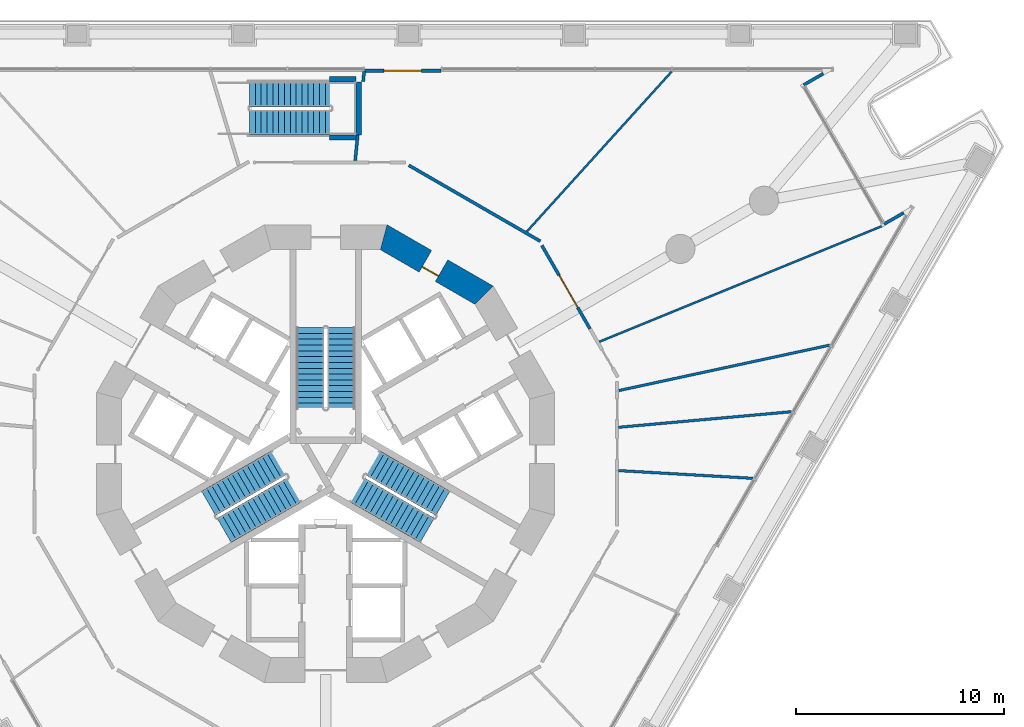
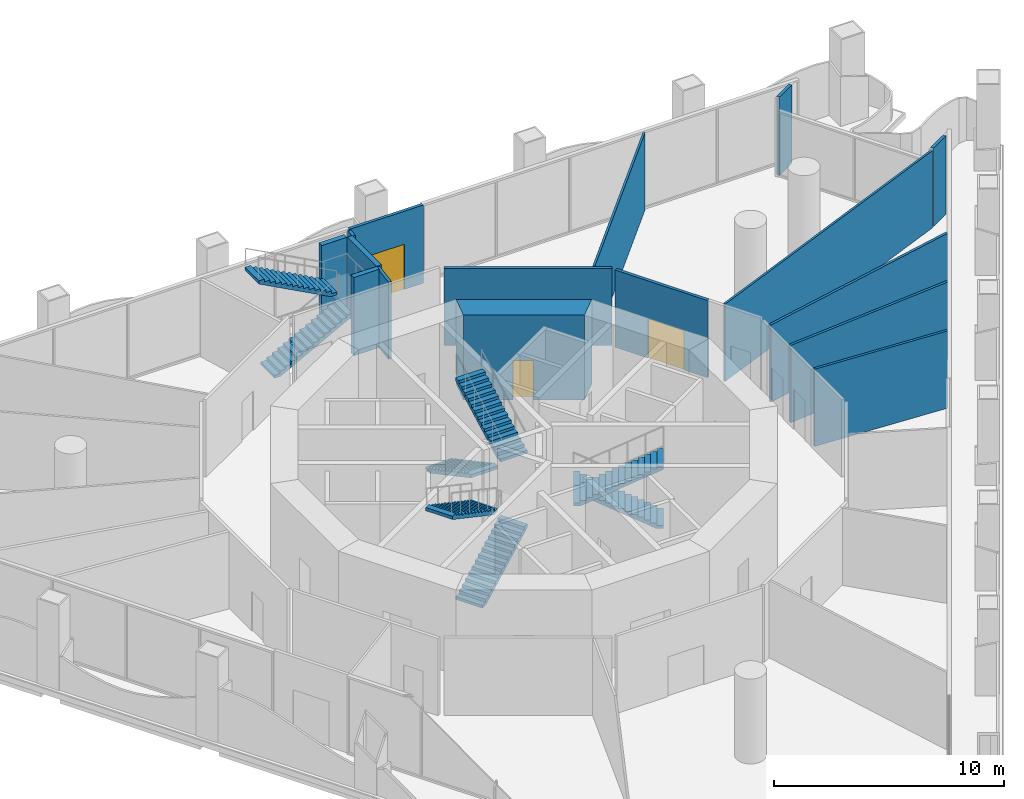
# One storey, part 13 of 21: 16 walls, 8 stair flights, 3 doors, 3 openings, 4 elements without a shape of their own.
"""IFC4 building model written with IfcOpenShell, lengths in metres."""

import ifcopenshell
import ifcopenshell.guid

model = None  # the IFC model being written
_history = None  # IfcOwnerHistory: only IFC2X3 demands one
_inside = {}  # id of a spatial element -> (the spatial element, [elements in it])
_under = {}  # id of a project, library or spatial element -> (it, [spatial elements below it])
_declared = {}  # id of a project -> (the project, [libraries it declares])
_typed = {}  # id of a type object -> (the type object, [elements of that type])
_made_of = {}  # id of a material, layer set ... -> (it, [elements and type objects made of it])


def new_model(schema):
    """Start an empty IFC model of exactly this schema.

    Asked for "IFC4X3", IfcOpenShell would pick the latest addendum, in which some entities
    have other attributes; the version numbers below select the first issue.
    IFC2X3 requires an IfcOwnerHistory on every rooted entity: one is made here for all.
    """
    global model, _history
    if schema == "IFC4X3":
        model = ifcopenshell.file(schema_version=(4, 3, 0, 0))
    else:
        model = ifcopenshell.file(schema=schema)
    _inside.clear()
    _under.clear()
    _declared.clear()
    _typed.clear()
    _made_of.clear()
    _history = None
    if model.schema == "IFC2X3":
        org = make("IfcOrganization", Name="unknown")
        user = make(
            "IfcPersonAndOrganization",
            ThePerson=make("IfcPerson", FamilyName="unknown"),
            TheOrganization=org,
        )
        app = make(
            "IfcApplication",
            ApplicationDeveloper=org,
            Version="unknown",
            ApplicationFullName="unknown",
            ApplicationIdentifier="unknown",
        )
        _history = make(
            "IfcOwnerHistory",
            OwningUser=user,
            OwningApplication=app,
            ChangeAction="ADDED",
            CreationDate=0,
        )
    return model


def make(cls, **values):
    """One entity of the class cls with the attributes given. An attribute that is None is left unset."""
    return model.create_entity(
        cls, **{name: value for name, value in values.items() if value is not None}
    )


def rooted(cls, **values):
    """An entity with a GlobalId (a new one), such as an element, a storey or a relation."""
    return make(cls, GlobalId=ifcopenshell.guid.new(), OwnerHistory=_history, **values)


def si_unit(unit_type, name, prefix=None):
    """IfcSIUnit, for example si_unit("LENGTHUNIT", "METRE", prefix="MILLI")."""
    return make("IfcSIUnit", UnitType=unit_type, Prefix=prefix, Name=name)


def assignment(units):
    """IfcUnitAssignment: the units of a project."""
    return None if units is None else make("IfcUnitAssignment", Units=units)


def point(xyz):
    """IfcCartesianPoint."""
    return None if xyz is None else make("IfcCartesianPoint", Coordinates=xyz)


def direction(xyz):
    """IfcDirection."""
    return None if xyz is None else make("IfcDirection", DirectionRatios=xyz)


def frame(location, z_axis=None, x_axis=None):
    """IfcAxis2Placement3D, a coordinate frame: its origin and axes. An axis left out is left unset."""
    return make(
        "IfcAxis2Placement3D",
        Location=point(location),
        Axis=direction(z_axis),
        RefDirection=direction(x_axis),
    )


def frame_2d(location, x_axis=None):
    """IfcAxis2Placement2D, a coordinate frame in the plane: its origin and x axis."""
    return make(
        "IfcAxis2Placement2D", Location=point(location), RefDirection=direction(x_axis)
    )


def origin():
    """The frame at (0, 0, 0) with its axes left unset."""
    return frame((0.0, 0.0, 0.0))


def place(relative_to, where):
    """IfcLocalPlacement: puts the frame where relative to a parent placement (None: the world)."""
    return make(
        "IfcLocalPlacement", PlacementRelTo=relative_to, RelativePlacement=where
    )


def context(
    kind, dimensions, precision=None, world=None, true_north=None, identifier=None
):
    """IfcGeometricRepresentationContext, for example the 3D "Model" context."""
    return make(
        "IfcGeometricRepresentationContext",
        ContextIdentifier=identifier,
        ContextType=kind,
        CoordinateSpaceDimension=dimensions,
        Precision=precision,
        WorldCoordinateSystem=world,
        TrueNorth=true_north,
    )


def subcontext(parent, identifier, kind, view, scale=None):
    """IfcGeometricRepresentationSubContext, for example "Body" below "Model"."""
    return make(
        "IfcGeometricRepresentationSubContext",
        ContextIdentifier=identifier,
        ContextType=kind,
        ParentContext=parent,
        TargetScale=scale,
        TargetView=view,
    )


def project(units=None, contexts=None):
    """IfcProject with its units and contexts."""
    return rooted(
        "IfcProject",
        Name="project",
        RepresentationContexts=contexts,
        UnitsInContext=assignment(units),
    )


def spatial(cls, under=None, at=None, **own):
    """A site, building, storey or space (cls), placed at a placement, below another one or the project."""
    s = rooted(cls, ObjectPlacement=at, **own)
    if under is not None:
        _under.setdefault(under.id(), (under, []))[1].append(s)
    return s


def polyline(points):
    """IfcPolyline through the points."""
    return make("IfcPolyline", Points=[point(p) for p in points])


def profile(cls, at=None, kind="AREA", **sizes):
    """A parametric profile (cls). Its sizes go by their IFC names, for example OverallWidth=200.0."""
    return make(cls, ProfileType=kind, Position=at, **sizes)


def rectangle(**sizes):
    """IfcRectangleProfileDef."""
    return profile("IfcRectangleProfileDef", **sizes)


def outline(outer, holes=None, kind="AREA"):
    """IfcArbitraryClosedProfileDef: a profile drawn as a closed curve; with holes, ...WithVoids."""
    if holes is None:
        return make("IfcArbitraryClosedProfileDef", ProfileType=kind, OuterCurve=outer)
    return make(
        "IfcArbitraryProfileDefWithVoids",
        ProfileType=kind,
        OuterCurve=outer,
        InnerCurves=holes,
    )


def extrude(swept, where, along, depth):
    """IfcExtrudedAreaSolid: the profile swept, set in the frame where, extruded along a direction by depth."""
    return make(
        "IfcExtrudedAreaSolid",
        SweptArea=swept,
        Position=where,
        ExtrudedDirection=direction(along),
        Depth=depth,
    )


def shape(context_of_items, identifier, shape_type, items):
    """IfcShapeRepresentation: the items that make up one representation, for example the "Body"."""
    return make(
        "IfcShapeRepresentation",
        ContextOfItems=context_of_items,
        RepresentationIdentifier=identifier,
        RepresentationType=shape_type,
        Items=items,
    )


def material(Name=None, Category=None):
    """IfcMaterial."""
    return make("IfcMaterial", Name=Name, Category=Category)


def layer(
    of_material, thickness, ventilated=None, Name=None, Category=None, Priority=None
):
    """IfcMaterialLayer: one layer of a wall or slab, of a material (None: an air gap)."""
    return make(
        "IfcMaterialLayer",
        Material=of_material,
        LayerThickness=thickness,
        IsVentilated=ventilated,
        Name=Name,
        Category=Category,
        Priority=Priority,
    )


def layer_set(layers, Name=None):
    """IfcMaterialLayerSet."""
    return make("IfcMaterialLayerSet", MaterialLayers=layers, LayerSetName=Name)


def made_of(thing, what):
    """Note that an element or type object is made of a material, layer set ...; save() writes the relation."""
    if what is not None:
        _made_of.setdefault(what.id(), (what, []))[1].append(thing)
    return thing


def type_object(cls, material=None, **own):
    """A type object (cls), such as IfcWallType, which elements share."""
    return made_of(rooted(cls, **own), material)


def element(
    cls,
    number,
    at=None,
    inside=None,
    cuts=None,
    type_object=None,
    material=None,
    context=None,
    identifier="Body",
    shape_type=None,
    held_by="IfcProductDefinitionShape",
    body=None,
    shapes=None,
    **own,
):
    """One element of the class cls, such as IfcWall. Its Tag is "e" and its number.

    at: its placement. inside: the storey or other place that contains it. cuts: it is an
    opening in that element (IfcRelVoidsElement). A single representation is given by context,
    identifier, shape_type and body (its items); several are given by shapes. held_by: the class
    of the entity that holds the representations. save() writes the other relations.
    """
    e = rooted(cls, Tag="e%d" % number, ObjectPlacement=at, **own)
    if body is not None:
        shapes = [shape(context, identifier, shape_type, body)]
    if shapes is not None:
        e.Representation = make(held_by, Representations=shapes)
    if inside is not None:
        _inside.setdefault(inside.id(), (inside, []))[1].append(e)
    if cuts is not None:
        rooted(
            "IfcRelVoidsElement", RelatingBuildingElement=cuts, RelatedOpeningElement=e
        )
    if type_object is not None:
        _typed.setdefault(type_object.id(), (type_object, []))[1].append(e)
    return made_of(e, material)


def fill(opening, filler):
    """IfcRelFillsElement: the door or window that sits in an opening."""
    return rooted(
        "IfcRelFillsElement",
        RelatingOpeningElement=opening,
        RelatedBuildingElement=filler,
    )


def aggregate(whole, parts):
    """IfcRelAggregates: a whole, such as a stair, and the parts it consists of."""
    return rooted("IfcRelAggregates", RelatingObject=whole, RelatedObjects=parts)


def save(model, path):
    """Write the relations noted so far, then the file.

    IfcRelAggregates (storeys below a building ...), IfcRelContainedInSpatialStructure (elements
    in a storey), IfcRelDefinesByType, IfcRelAssociatesMaterial and IfcRelDeclares: one each for
    every whole, place, type object, material and project.
    """
    for whole, parts in _under.values():
        aggregate(whole, parts)
    for where, things in _inside.values():
        rooted(
            "IfcRelContainedInSpatialStructure",
            RelatedElements=things,
            RelatingStructure=where,
        )
    for kind, things in _typed.values():
        rooted("IfcRelDefinesByType", RelatedObjects=things, RelatingType=kind)
    for what, things in _made_of.values():
        rooted("IfcRelAssociatesMaterial", RelatedObjects=things, RelatingMaterial=what)
    for by, libraries in _declared.values():
        rooted("IfcRelDeclares", RelatingContext=by, RelatedDefinitions=libraries)
    model.write(path)


model = new_model("IFC4")

# Units and contexts
model_context = context("Model", 3, precision=1e-05, world=origin(), true_north=direction((0.0, 1.0)))
body_context = subcontext(model_context, "Body", "Model", "MODEL_VIEW")
ifc_project = project(units=[si_unit("LENGTHUNIT", "METRE"), si_unit("AREAUNIT", "SQUARE_METRE"), si_unit("VOLUMEUNIT", "CUBIC_METRE"), si_unit("PLANEANGLEUNIT", "RADIAN"), si_unit("MASSUNIT", "GRAM", prefix="KILO")], contexts=[model_context])

# Site, building, storey
site_placement = place(None, origin())
site = spatial("IfcSite", under=ifc_project, at=site_placement, CompositionType="ELEMENT")
building_placement = place(site_placement, origin())
building = spatial("IfcBuilding", under=site, at=building_placement, Name="Trine Commons Tower", CompositionType="ELEMENT")
storey_placement = place(building_placement, frame((0.0, 0.0, 13.5)))
storey = spatial("IfcBuildingStorey", under=building, at=storey_placement, Name="L02", CompositionType="ELEMENT", Elevation=13.5)

# Walls
ifc_material_1 = material(Name="Plasterboard on steel stud", Category="steel")
ifc_layer_1 = layer(ifc_material_1, 0.14990234375)
ifc_layer_set_1 = layer_set([ifc_layer_1], Name="Plasterboard on steel stud")
wall_type_1 = type_object("IfcWallType", Name="Compartment wall 150 mm, EI 60", PredefinedType="PARTITIONING", material=ifc_layer_set_1)
wall_1_placement = place(storey_placement, frame((81.417724609375, 76.593994140625, 0.0), z_axis=(0.0, 0.0, 1.0), x_axis=(0.100050781899, 0.994982332025, 0.0)))
element("IfcWall", 1, at=wall_1_placement, inside=storey, type_object=wall_type_1, Name="Partition P2017", PredefinedType="PARTITIONING", context=body_context, shape_type="SweptSolid", body=[
    extrude(rectangle(XDim=1.237060546875, YDim=0.14990234375, at=frame_2d((0.61865234375, 0.0))), origin(), (0.0, 0.0, 1.0), 4.10009765625),
])
wall_2_placement = place(storey_placement, frame((81.800048828125, 80.39501953125, 0.0), z_axis=(0.0, 0.0, 1.0), x_axis=(0.099749392044, 0.995012592276, 0.0)))
element("IfcWall", 2, at=wall_2_placement, inside=storey, type_object=wall_type_1, Name="Partition P2018", PredefinedType="PARTITIONING", context=body_context, shape_type="SweptSolid", body=[
    extrude(rectangle(XDim=0.491943359375, YDim=0.14990234375, at=frame_2d((0.24609375, 0.0))), origin(), (0.0, 0.0, 1.0), 4.10009765625),
])
wall_3_placement = place(storey_placement, frame((83.996826171875, 76.37158203125, 0.0), z_axis=(0.0, 0.0, 1.0), x_axis=(0.866025270247, -0.500000231294, 0.0)))
element("IfcWall", 3, at=wall_3_placement, inside=storey, type_object=wall_type_1, Name="Partition P2020", PredefinedType="PARTITIONING", context=body_context, shape_type="SweptSolid", body=[
    extrude(rectangle(XDim=7.3037109375, YDim=0.14990234375, at=frame_2d((3.65185546875, 0.0))), origin(), (0.0, 0.0, 1.0), 4.10009765625),
])

# Wall, opening, door
wall_4_placement = place(storey_placement, frame((92.7109375, 68.50732421875, 0.0), z_axis=(0.0, 0.0, 1.0), x_axis=(-0.500014747178, 0.86601688933, 0.0)))
wall_4 = element("IfcWall", 4, at=wall_4_placement, inside=storey, type_object=wall_type_1, Name="Partition P2026", PredefinedType="PARTITIONING", context=body_context, shape_type="SweptSolid", body=[
    extrude(rectangle(XDim=4.627197265625, YDim=0.14990234375, at=frame_2d((2.3134765625, 0.0))), origin(), (0.0, 0.0, 1.0), 4.10009765625),
])
opening_1_placement = place(wall_4_placement, frame((1.177001953125, 0.0, 0.0)))
opening_1 = element("IfcOpeningElement", 5, at=opening_1_placement, cuts=wall_4, Name="Opening D-P214", PredefinedType="OPENING", context=body_context, shape_type="SweptSolid", body=[
    extrude(rectangle(XDim=1.800048828125, YDim=2.10009765625, at=frame_2d((0.89990234375, 1.050048828125))), frame((0.0, 0.0849609375, 0.0), z_axis=(0.0, -1.0, 0.0), x_axis=(1.0, 0.0, 0.0)), (0.0, 0.0, 1.0), 0.169921875),
])
ifc_material_2 = material(Name="Timber fire door set", Category="wood")
door_type_1 = type_object("IfcDoorType", Name="Double swing door 1800x2100, FD30S", OperationType="DOUBLE_DOOR_DOUBLE_SWING", PredefinedType="DOOR", material=ifc_material_2)
door_1_placement = place(opening_1_placement, origin())
door_1 = element("IfcDoor", 6, at=door_1_placement, inside=storey, type_object=door_type_1, Name="Door D-P214", OperationType="DOUBLE_DOOR_DOUBLE_SWING", OverallHeight=2.10009765625, OverallWidth=1.800048828125, PredefinedType="DOOR", context=body_context, shape_type="SweptSolid", body=[
    extrude(rectangle(XDim=1.800048828125, YDim=2.10009765625, at=frame_2d((0.89990234375, 1.050048828125))), frame((0.0, 0.02490234375, 0.0), z_axis=(0.0, -1.0, 0.0), x_axis=(1.0, 0.0, 0.0)), (0.0, 0.0, 1.0), 0.050048828125),
])
fill(opening_1, door_1)

ifc_material_3 = material(Name="Aluminium-framed insulated wall panel", Category="aluminium")
ifc_layer_2 = layer(ifc_material_3, 0.14990234375)
ifc_layer_set_2 = layer_set([ifc_layer_2], Name="Aluminium-framed insulated wall panel")
wall_type_2 = type_object("IfcWallType", Name="Glazed entrance wall 150, EI 60", PredefinedType="SOLIDWALL", material=ifc_layer_set_2)
wall_5_placement = place(storey_placement, frame((81.84912109375, 80.919677734375, 0.0), z_axis=(0.0, 0.0, 1.0), x_axis=(1.0, 0.0, 0.0)))
wall_5 = element("IfcWall", 7, at=wall_5_placement, inside=storey, type_object=wall_type_2, Name="Glazed entrance wall L02 F1 8", PredefinedType="SOLIDWALL", context=body_context, shape_type="SweptSolid", body=[
    extrude(rectangle(XDim=3.698974609375, YDim=0.14990234375, at=frame_2d((1.849609375, 0.0))), origin(), (0.0, 0.0, 1.0), 4.14990234375),
])
opening_2_placement = place(wall_5_placement, frame((0.949462890625, 0.0, 0.0)))
opening_2 = element("IfcOpeningElement", 8, at=opening_2_placement, cuts=wall_5, Name="Opening SD-L02-F1-08", PredefinedType="OPENING", context=body_context, shape_type="SweptSolid", body=[
    extrude(rectangle(XDim=1.800048828125, YDim=2.39990234375, at=frame_2d((0.89990234375, 1.199951171875))), frame((0.0, 0.0849609375, 0.0), z_axis=(0.0, -1.0, 0.0), x_axis=(1.0, 0.0, 0.0)), (0.0, 0.0, 1.0), 0.169921875),
])
ifc_material_4 = material(Name="Anodised aluminium frame with double glazing", Category="aluminium")
door_type_2 = type_object("IfcDoorType", Name="Sliding double door 1800x2400", OperationType="DOUBLE_DOOR_SLIDING", PredefinedType="DOOR", material=ifc_material_4)
door_2_placement = place(opening_2_placement, origin())
door_2 = element("IfcDoor", 9, at=door_2_placement, inside=storey, type_object=door_type_2, Name="Loggia door L02 F1 8", OperationType="DOUBLE_DOOR_SLIDING", OverallHeight=2.39990234375, OverallWidth=1.800048828125, PredefinedType="DOOR", context=body_context, shape_type="SweptSolid", body=[
    extrude(rectangle(XDim=1.800048828125, YDim=2.39990234375, at=frame_2d((0.89990234375, 1.199951171875))), frame((0.0, 0.02490234375, 0.0), z_axis=(0.0, -1.0, 0.0), x_axis=(1.0, 0.0, 0.0)), (0.0, 0.0, 1.0), 0.050048828125),
])
fill(opening_2, door_2)

# Walls
ifc_layer_3 = layer(ifc_material_3, 0.14990234375)
ifc_layer_set_3 = layer_set([ifc_layer_3], Name="Aluminium-framed insulated wall panel")
wall_type_3 = type_object("IfcWallType", Name="Glazed frame wall 150, EI 60", PredefinedType="SOLIDWALL", material=ifc_layer_set_3)
wall_6_placement = place(storey_placement, frame((104.060546875, 80.854248046875, 0.0), z_axis=(0.0, 0.0, 1.0), x_axis=(-0.86606770004, -0.49992673358, 0.0)))
element("IfcWall", 10, at=wall_6_placement, inside=storey, type_object=wall_type_3, Name="Glazed frame wall L02 R5", PredefinedType="SOLIDWALL", context=body_context, shape_type="SweptSolid", body=[
    extrude(outline(polyline([(0.1494140625, 0.074951171875), (0.1494140625, -0.074951171875), (1.235107421875, -0.074951171875), (1.235107421875, 0.074951171875), (0.1494140625, 0.074951171875)])), origin(), (0.0, 0.0, 1.0), 4.14990234375),
])
wall_7_placement = place(storey_placement, frame((106.7607421875, 73.4873046875, 0.0), z_axis=(0.0, 0.0, 1.0), x_axis=(0.865989100438, 0.500062873969, 0.0)))
element("IfcWall", 11, at=wall_7_placement, inside=storey, type_object=wall_type_3, Name="Glazed frame wall L02 R7", PredefinedType="SOLIDWALL", context=body_context, shape_type="SweptSolid", body=[
    extrude(outline(polyline([(0.110107421875, 0.074951171875), (0.110107421875, -0.074951171875), (1.19580078125, -0.074951171875), (1.19580078125, 0.074951171875), (0.110107421875, 0.074951171875)])), origin(), (0.0, 0.0, 1.0), 4.14990234375),
])
ifc_layer_4 = layer(ifc_material_1, 0.10009765625)
ifc_layer_set_4 = layer_set([ifc_layer_4], Name="Plasterboard on steel stud")
wall_type_4 = type_object("IfcWallType", Name="Partition wall 100 mm stud, not rated", PredefinedType="PARTITIONING", material=ifc_layer_set_4)
wall_8_placement = place(storey_placement, frame((89.678466796875, 73.190185546875, 0.0), z_axis=(0.0, 0.0, 1.0), x_axis=(0.671165805165, 0.741307265563, 0.0)))
element("IfcWall", 12, at=wall_8_placement, inside=storey, type_object=wall_type_4, Name="Partition P2022", PredefinedType="PARTITIONING", context=body_context, shape_type="SweptSolid", body=[
    extrude(rectangle(XDim=10.37939453125, YDim=0.10009765625, at=frame_2d((5.189697265625, 0.0))), origin(), (0.0, 0.0, 1.0), 4.10009765625),
])
wall_9_placement = place(storey_placement, frame((93.163818359375, 67.88623046875, 0.0), z_axis=(0.0, 0.0, 1.0), x_axis=(0.925517608027, 0.378704577781, 0.0)))
element("IfcWall", 13, at=wall_9_placement, inside=storey, type_object=wall_type_4, Name="Partition P2029", PredefinedType="PARTITIONING", context=body_context, shape_type="SweptSolid", body=[
    extrude(rectangle(XDim=14.710205078125, YDim=0.10009765625, at=frame_2d((7.35498046875, 0.0))), origin(), (0.0, 0.0, 1.0), 4.10009765625),
])

# Wall, opening, door
ifc_material_5 = material(Name="Concrete C80/95", Category="concrete")
ifc_layer_5 = layer(ifc_material_5, 1.199951171875)
ifc_layer_set_5 = layer_set([ifc_layer_5], Name="Concrete C80/95")
wall_type_5 = type_object("IfcWallType", Name="RC shear wall 1200 mm, C80/95", PredefinedType="SHEAR", material=ifc_layer_set_5)
wall_10_placement = place(storey_placement, frame((87.760986328125, 70.04150390625, 0.0), z_axis=(0.0, 0.0, 1.0), x_axis=(-0.866037463336, 0.499979111662, 0.0)))
wall_10 = element("IfcWall", 14, at=wall_10_placement, inside=storey, type_object=wall_type_5, Name="Core wall CWA-03 L02", PredefinedType="SHEAR", context=body_context, shape_type="SweptSolid", body=[
    extrude(outline(polyline([(0.0, -0.60009765625), (5.901123046875, -0.60009765625), (5.57958984375, 0.60009765625), (0.321533203125, 0.60009765625), (0.0, -0.60009765625)])), origin(), (0.0, 0.0, 1.0), 4.5),
])
opening_3_placement = place(wall_10_placement, frame((2.526611328125, 0.0, 0.0)))
opening_3 = element("IfcOpeningElement", 15, at=opening_3_placement, cuts=wall_10, Name="Opening K05.11", PredefinedType="OPENING", context=body_context, shape_type="SweptSolid", body=[
    extrude(rectangle(XDim=0.89990234375, YDim=2.10009765625, at=frame_2d((0.449951171875, 1.050048828125))), frame((0.0, 0.60986328125, 0.0), z_axis=(0.0, -1.0, 0.0), x_axis=(1.0, 0.0, 0.0)), (0.0, 0.0, 1.0), 1.219970703125),
])
ifc_material_6 = material(Name="Steel door leaf, fire-rated", Category="steel")
door_type_3 = type_object("IfcDoorType", Name="Core room door, single leaf 900 x 2100, FD30S", OperationType="SINGLE_SWING_LEFT", PredefinedType="DOOR", material=ifc_material_6)
door_3_placement = place(opening_3_placement, origin())
door_3 = element("IfcDoor", 16, at=door_3_placement, inside=storey, type_object=door_type_3, Name="Door to Core WC L02", OperationType="SINGLE_SWING_RIGHT", OverallHeight=2.10009765625, OverallWidth=0.89990234375, PredefinedType="DOOR", context=body_context, shape_type="SweptSolid", body=[
    extrude(rectangle(XDim=0.89990234375, YDim=2.10009765625, at=frame_2d((0.449951171875, 1.050048828125))), frame((0.0, 0.3251953125, 0.0), z_axis=(0.0, -1.0, 0.0), x_axis=(1.0, 0.0, 0.0)), (0.0, 0.0, 1.0), 0.050048828125),
])
fill(opening_3, door_3)

# Walls
ifc_material_7 = material(Name="Concrete C40/50", Category="concrete")
ifc_layer_6 = layer(ifc_material_7, 0.25)
ifc_layer_set_6 = layer_set([ifc_layer_6], Name="Concrete C40/50")
wall_type_6 = type_object("IfcWallType", Name="Stair landing wall 250 mm, concrete C40/50", PredefinedType="SOLIDWALL", material=ifc_layer_set_6)
wall_11_placement = place(storey_placement, frame((81.5849609375, 77.8349609375, 0.0), z_axis=(0.0, 0.0, 1.0), x_axis=(0.0, 1.0, 0.0)))
element("IfcWall", 17, at=wall_11_placement, inside=storey, type_object=wall_type_6, Name="L02 PS1 landing wall E", PredefinedType="SOLIDWALL", context=body_context, shape_type="SweptSolid", body=[
    extrude(rectangle(XDim=2.550048828125, YDim=0.25, at=frame_2d((1.27490234375, 0.0))), origin(), (0.0, 0.0, 1.0), 4.14990234375),
])
for number, where, z_axis, x_axis, name in (
    (18, (80.179931640625, 80.510009765625, 0.0), (0.0, 0.0, 1.0), (1.0, 0.0, 0.0), "L02 PS1 landing wall N"),
    (19, (80.179931640625, 77.7099609375, 0.0), (0.0, 0.0, 1.0), (1.0, 0.0, 0.0), "L02 PS1 landing wall S"),
):
    element("IfcWall", number, at=place(storey_placement, frame(where, z_axis=z_axis, x_axis=x_axis)), inside=storey, type_object=wall_type_6, Name=name, PredefinedType="SOLIDWALL", context=body_context, shape_type="SweptSolid", body=[
        extrude(rectangle(XDim=1.280029296875, YDim=0.25, at=frame_2d((0.64013671875, 0.0))), origin(), (0.0, 0.0, 1.0), 4.14990234375),
    ])
ifc_layer_7 = layer(ifc_material_1, 0.125)
ifc_layer_set_7 = layer_set([ifc_layer_7], Name="Plasterboard on steel stud")
wall_type_7 = type_object("IfcWallType", Name="Wet wall 125 mm stud, not rated", PredefinedType="PARTITIONING", material=ifc_layer_set_7)
wall_12_placement = place(storey_placement, frame((94.090087890625, 61.688232421875, 0.0), z_axis=(0.0, 0.0, 1.0), x_axis=(0.998342946546, -0.057544427025, 0.0)))
element("IfcWall", 20, at=wall_12_placement, inside=storey, type_object=wall_type_7, Name="Partition P2032", PredefinedType="PARTITIONING", context=body_context, shape_type="SweptSolid", body=[
    extrude(rectangle(XDim=6.4658203125, YDim=0.125, at=frame_2d((3.23291015625, 0.0))), origin(), (0.0, 0.0, 1.0), 4.10009765625),
])
wall_13_placement = place(storey_placement, frame((94.07958984375, 63.769775390625, 0.0), z_axis=(0.0, 0.0, 1.0), x_axis=(0.995959570567, 0.089802749382, 0.0)))
element("IfcWall", 21, at=wall_13_placement, inside=storey, type_object=wall_type_7, Name="Partition P2033", PredefinedType="PARTITIONING", context=body_context, shape_type="SweptSolid", body=[
    extrude(rectangle(XDim=8.348876953125, YDim=0.125, at=frame_2d((4.17431640625, 0.0))), origin(), (0.0, 0.0, 1.0), 4.10009765625),
])
wall_14_placement = place(storey_placement, frame((94.099609375, 65.53759765625, 0.0), z_axis=(0.0, 0.0, 1.0), x_axis=(0.977575299068, 0.210586169185, 0.0)))
element("IfcWall", 22, at=wall_14_placement, inside=storey, type_object=wall_type_7, Name="Partition P2035", PredefinedType="PARTITIONING", context=body_context, shape_type="SweptSolid", body=[
    extrude(rectangle(XDim=10.377197265625, YDim=0.125, at=frame_2d((5.1884765625, 0.0))), origin(), (0.0, 0.0, 1.0), 4.10009765625),
])

# Stair, stair flights
stair_type_1 = type_object("IfcStairType", Name="Podium stair, dog-leg 1200 mm, C40/50", PredefinedType="HALF_TURN_STAIR", material=ifc_material_7)
stair_1_placement = place(storey_placement, origin())
stair_1 = element("IfcStair", 23, at=stair_1_placement, inside=storey, type_object=stair_type_1, Name="L02 Podium stair", PredefinedType="HALF_TURN_STAIR")
stair_flight_type_1 = type_object("IfcStairFlightType", Name="Podium stair flight 1200 mm, C40/50", PredefinedType="STRAIGHT", material=ifc_material_7)
stair_flight_1_placement = place(storey_placement, frame((76.340087890625, 78.43505859375, 0.0), z_axis=(0.0, 0.0, 1.0), x_axis=(1.0, 0.0, 0.0)))
stair_flight_1 = element("IfcStairFlight", 24, at=stair_flight_1_placement, type_object=stair_flight_type_1, Name="PS1 flight 1", NumberOfRisers=15, NumberOfTreads=14, PredefinedType="STRAIGHT", RiserHeight=0.15, TreadLength=0.28, context=body_context, shape_type="SweptSolid", body=[
    extrude(outline(polyline([(0.0, 0.0), (0.0, 0.14990234375), (0.280029296875, 0.14990234375), (0.280029296875, 0.300048828125), (0.56005859375, 0.300048828125), (0.56005859375, 0.449951171875), (0.840087890625, 0.449951171875), (0.840087890625, 0.60009765625), (1.1201171875, 0.60009765625), (1.1201171875, 0.75), (1.39990234375, 0.75), (1.39990234375, 0.89990234375), (1.679931640625, 0.89990234375), (1.679931640625, 1.050048828125), (1.9599609375, 1.050048828125), (1.9599609375, 1.199951171875), (2.239990234375, 1.199951171875), (2.239990234375, 1.35009765625), (2.52001953125, 1.35009765625), (2.52001953125, 1.5), (2.800048828125, 1.5), (2.800048828125, 1.64990234375), (3.080078125, 1.64990234375), (3.080078125, 1.800048828125), (3.360107421875, 1.800048828125), (3.360107421875, 1.949951171875), (3.639892578125, 1.949951171875), (3.639892578125, 2.10009765625), (3.919921875, 2.10009765625), (3.919921875, 2.25), (3.919921875, 1.929931640625), (0.3173828125, 0.0), (0.0, 0.0)])), frame((0.0, 0.60009765625, 0.0), z_axis=(0.0, -1.0, 0.0), x_axis=(1.0, 0.0, 0.0)), (0.0, 0.0, 1.0), 1.199951171875),
])
stair_flight_2_placement = place(storey_placement, frame((80.260009765625, 79.784912109375, 2.25), z_axis=(0.0, 0.0, 1.0), x_axis=(-1.0, 0.0, 0.0)))
stair_flight_2 = element("IfcStairFlight", 25, at=stair_flight_2_placement, type_object=stair_flight_type_1, Name="PS1 flight 2", NumberOfRisers=15, NumberOfTreads=14, PredefinedType="STRAIGHT", RiserHeight=0.15, TreadLength=0.28, context=body_context, shape_type="SweptSolid", body=[
    extrude(outline(polyline([(0.0, 0.0), (0.0, 0.14990234375), (0.280029296875, 0.14990234375), (0.280029296875, 0.300048828125), (0.56005859375, 0.300048828125), (0.56005859375, 0.449951171875), (0.840087890625, 0.449951171875), (0.840087890625, 0.60009765625), (1.1201171875, 0.60009765625), (1.1201171875, 0.75), (1.39990234375, 0.75), (1.39990234375, 0.89990234375), (1.679931640625, 0.89990234375), (1.679931640625, 1.050048828125), (1.9599609375, 1.050048828125), (1.9599609375, 1.199951171875), (2.239990234375, 1.199951171875), (2.239990234375, 1.35009765625), (2.52001953125, 1.35009765625), (2.52001953125, 1.5), (2.800048828125, 1.5), (2.800048828125, 1.64990234375), (3.080078125, 1.64990234375), (3.080078125, 1.800048828125), (3.360107421875, 1.800048828125), (3.360107421875, 1.949951171875), (3.639892578125, 1.949951171875), (3.639892578125, 2.10009765625), (3.919921875, 2.10009765625), (3.919921875, 2.25), (3.919921875, 1.929931640625), (0.3173828125, 0.0), (0.0, 0.0)])), frame((0.0, 0.60009765625, 0.0), z_axis=(0.0, -1.0, 0.0), x_axis=(1.0, 0.0, 0.0)), (0.0, 0.0, 1.0), 1.199951171875),
])
aggregate(stair_1, [stair_flight_1, stair_flight_2])

ifc_material_8 = material(Name="Concrete C50/60", Category="concrete")
stair_type_2 = type_object("IfcStairType", Name="Exit stair, dog-leg, 30 risers of 150 mm", PredefinedType="HALF_TURN_STAIR", material=ifc_material_8)
stair_2_placement = place(storey_placement, origin())
stair_2 = element("IfcStair", 26, at=stair_2_placement, inside=storey, type_object=stair_type_2, Name="L02 Exit stair ST1A", PredefinedType="HALF_TURN_STAIR")
stair_flight_type_2 = type_object("IfcStairFlightType", Name="Stair flight, 1350 wide, 15 risers of 150 mm", PredefinedType="STRAIGHT", material=ifc_material_8)
stair_flight_3_placement = place(storey_placement, frame((79.25, 68.570556640625, 0.0), z_axis=(0.0, 0.0, 1.0), x_axis=(0.0, -1.0, 0.0)))
stair_flight_3 = element("IfcStairFlight", 27, at=stair_flight_3_placement, type_object=stair_flight_type_2, Name="ST1A flight 1", NumberOfRisers=15, NumberOfTreads=14, PredefinedType="STRAIGHT", RiserHeight=0.15, TreadLength=0.28, context=body_context, shape_type="SweptSolid", body=[
    extrude(outline(polyline([(0.0, 0.0), (0.0, 0.14990234375), (0.280029296875, 0.14990234375), (0.280029296875, 0.300048828125), (0.56005859375, 0.300048828125), (0.56005859375, 0.449951171875), (0.840087890625, 0.449951171875), (0.840087890625, 0.60009765625), (1.1201171875, 0.60009765625), (1.1201171875, 0.75), (1.39990234375, 0.75), (1.39990234375, 0.89990234375), (1.679931640625, 0.89990234375), (1.679931640625, 1.050048828125), (1.9599609375, 1.050048828125), (1.9599609375, 1.199951171875), (2.239990234375, 1.199951171875), (2.239990234375, 1.35009765625), (2.52001953125, 1.35009765625), (2.52001953125, 1.5), (2.800048828125, 1.5), (2.800048828125, 1.64990234375), (3.080078125, 1.64990234375), (3.080078125, 1.800048828125), (3.360107421875, 1.800048828125), (3.360107421875, 1.949951171875), (3.639892578125, 1.949951171875), (3.639892578125, 2.10009765625), (3.919921875, 2.10009765625), (3.919921875, 2.25), (3.919921875, 1.929931640625), (0.3173828125, 0.0), (0.0, 0.0)])), frame((0.0, 0.675048828125, 0.0), z_axis=(0.0, -1.0, 0.0), x_axis=(1.0, 0.0, 0.0)), (0.0, 0.0, 1.0), 1.35009765625),
])
stair_flight_4_placement = place(storey_placement, frame((80.75, 64.650634765625, 2.25), z_axis=(0.0, 0.0, 1.0), x_axis=(0.0, 1.0, 0.0)))
stair_flight_4 = element("IfcStairFlight", 28, at=stair_flight_4_placement, type_object=stair_flight_type_2, Name="ST1A flight 2", NumberOfRisers=15, NumberOfTreads=14, PredefinedType="STRAIGHT", RiserHeight=0.15, TreadLength=0.28, context=body_context, shape_type="SweptSolid", body=[
    extrude(outline(polyline([(0.0, 0.0), (0.0, 0.14990234375), (0.280029296875, 0.14990234375), (0.280029296875, 0.300048828125), (0.56005859375, 0.300048828125), (0.56005859375, 0.449951171875), (0.840087890625, 0.449951171875), (0.840087890625, 0.60009765625), (1.1201171875, 0.60009765625), (1.1201171875, 0.75), (1.39990234375, 0.75), (1.39990234375, 0.89990234375), (1.679931640625, 0.89990234375), (1.679931640625, 1.050048828125), (1.9599609375, 1.050048828125), (1.9599609375, 1.199951171875), (2.239990234375, 1.199951171875), (2.239990234375, 1.35009765625), (2.52001953125, 1.35009765625), (2.52001953125, 1.5), (2.800048828125, 1.5), (2.800048828125, 1.64990234375), (3.080078125, 1.64990234375), (3.080078125, 1.800048828125), (3.360107421875, 1.800048828125), (3.360107421875, 1.949951171875), (3.639892578125, 1.949951171875), (3.639892578125, 2.10009765625), (3.919921875, 2.10009765625), (3.919921875, 2.25), (3.919921875, 1.929931640625), (0.3173828125, 0.0), (0.0, 0.0)])), frame((0.0, 0.675048828125, 0.0), z_axis=(0.0, -1.0, 0.0), x_axis=(1.0, 0.0, 0.0)), (0.0, 0.0, 1.0), 1.35009765625),
])
aggregate(stair_2, [stair_flight_3, stair_flight_4])

stair_3_placement = place(storey_placement, origin())
stair_3 = element("IfcStair", 29, at=stair_3_placement, inside=storey, type_object=stair_type_2, Name="L02 Exit stair ST2A", PredefinedType="HALF_TURN_STAIR")
stair_flight_5_placement = place(storey_placement, frame((75.11767578125, 58.815185546875, 0.0), z_axis=(0.0, 0.0, 1.0), x_axis=(0.866025403784, 0.5, 0.0)))
stair_flight_5 = element("IfcStairFlight", 30, at=stair_flight_5_placement, type_object=stair_flight_type_2, Name="ST2A flight 1", NumberOfRisers=15, NumberOfTreads=14, PredefinedType="STRAIGHT", RiserHeight=0.15, TreadLength=0.28, context=body_context, shape_type="SweptSolid", body=[
    extrude(outline(polyline([(0.0, 0.0), (0.0, 0.14990234375), (0.280029296875, 0.14990234375), (0.280029296875, 0.300048828125), (0.56005859375, 0.300048828125), (0.56005859375, 0.449951171875), (0.840087890625, 0.449951171875), (0.840087890625, 0.60009765625), (1.1201171875, 0.60009765625), (1.1201171875, 0.75), (1.39990234375, 0.75), (1.39990234375, 0.89990234375), (1.679931640625, 0.89990234375), (1.679931640625, 1.050048828125), (1.9599609375, 1.050048828125), (1.9599609375, 1.199951171875), (2.239990234375, 1.199951171875), (2.239990234375, 1.35009765625), (2.52001953125, 1.35009765625), (2.52001953125, 1.5), (2.800048828125, 1.5), (2.800048828125, 1.64990234375), (3.080078125, 1.64990234375), (3.080078125, 1.800048828125), (3.360107421875, 1.800048828125), (3.360107421875, 1.949951171875), (3.639892578125, 1.949951171875), (3.639892578125, 2.10009765625), (3.919921875, 2.10009765625), (3.919921875, 2.25), (3.919921875, 1.929931640625), (0.3173828125, 0.0), (0.0, 0.0)])), frame((0.0, 0.675048828125, 0.0), z_axis=(0.0, -1.0, 0.0), x_axis=(1.0, 0.0, 0.0)), (0.0, 0.0, 1.0), 1.35009765625),
])
stair_flight_6_placement = place(storey_placement, frame((77.762451171875, 62.07421875, 2.25), z_axis=(0.0, 0.0, 1.0), x_axis=(-0.866025403784, -0.5, 0.0)))
stair_flight_6 = element("IfcStairFlight", 31, at=stair_flight_6_placement, type_object=stair_flight_type_2, Name="ST2A flight 2", NumberOfRisers=15, NumberOfTreads=14, PredefinedType="STRAIGHT", RiserHeight=0.15, TreadLength=0.28, context=body_context, shape_type="SweptSolid", body=[
    extrude(outline(polyline([(0.0, 0.0), (0.0, 0.14990234375), (0.280029296875, 0.14990234375), (0.280029296875, 0.300048828125), (0.56005859375, 0.300048828125), (0.56005859375, 0.449951171875), (0.840087890625, 0.449951171875), (0.840087890625, 0.60009765625), (1.1201171875, 0.60009765625), (1.1201171875, 0.75), (1.39990234375, 0.75), (1.39990234375, 0.89990234375), (1.679931640625, 0.89990234375), (1.679931640625, 1.050048828125), (1.9599609375, 1.050048828125), (1.9599609375, 1.199951171875), (2.239990234375, 1.199951171875), (2.239990234375, 1.35009765625), (2.52001953125, 1.35009765625), (2.52001953125, 1.5), (2.800048828125, 1.5), (2.800048828125, 1.64990234375), (3.080078125, 1.64990234375), (3.080078125, 1.800048828125), (3.360107421875, 1.800048828125), (3.360107421875, 1.949951171875), (3.639892578125, 1.949951171875), (3.639892578125, 2.10009765625), (3.919921875, 2.10009765625), (3.919921875, 2.25), (3.919921875, 1.929931640625), (0.3173828125, 0.0), (0.0, 0.0)])), frame((0.0, 0.675048828125, 0.0), z_axis=(0.0, -1.0, 0.0), x_axis=(1.0, 0.0, 0.0)), (0.0, 0.0, 1.0), 1.35009765625),
])
aggregate(stair_3, [stair_flight_5, stair_flight_6])

stair_4_placement = place(storey_placement, origin())
stair_4 = element("IfcStair", 32, at=stair_4_placement, inside=storey, type_object=stair_type_2, Name="L02 Exit stair ST3A", PredefinedType="HALF_TURN_STAIR")
stair_flight_7_placement = place(storey_placement, frame((85.63232421875, 60.1142578125, 0.0), z_axis=(0.0, 0.0, 1.0), x_axis=(-0.866025403784, 0.5, 0.0)))
stair_flight_7 = element("IfcStairFlight", 33, at=stair_flight_7_placement, type_object=stair_flight_type_2, Name="ST3A flight 1", NumberOfRisers=15, NumberOfTreads=14, PredefinedType="STRAIGHT", RiserHeight=0.15, TreadLength=0.28, context=body_context, shape_type="SweptSolid", body=[
    extrude(outline(polyline([(0.0, 0.0), (0.0, 0.14990234375), (0.280029296875, 0.14990234375), (0.280029296875, 0.300048828125), (0.56005859375, 0.300048828125), (0.56005859375, 0.449951171875), (0.840087890625, 0.449951171875), (0.840087890625, 0.60009765625), (1.1201171875, 0.60009765625), (1.1201171875, 0.75), (1.39990234375, 0.75), (1.39990234375, 0.89990234375), (1.679931640625, 0.89990234375), (1.679931640625, 1.050048828125), (1.9599609375, 1.050048828125), (1.9599609375, 1.199951171875), (2.239990234375, 1.199951171875), (2.239990234375, 1.35009765625), (2.52001953125, 1.35009765625), (2.52001953125, 1.5), (2.800048828125, 1.5), (2.800048828125, 1.64990234375), (3.080078125, 1.64990234375), (3.080078125, 1.800048828125), (3.360107421875, 1.800048828125), (3.360107421875, 1.949951171875), (3.639892578125, 1.949951171875), (3.639892578125, 2.10009765625), (3.919921875, 2.10009765625), (3.919921875, 2.25), (3.919921875, 1.929931640625), (0.3173828125, 0.0), (0.0, 0.0)])), frame((0.0, 0.675048828125, 0.0), z_axis=(0.0, -1.0, 0.0), x_axis=(1.0, 0.0, 0.0)), (0.0, 0.0, 1.0), 1.35009765625),
])
stair_flight_8_placement = place(storey_placement, frame((81.487548828125, 60.775146484375, 2.25), z_axis=(0.0, 0.0, 1.0), x_axis=(0.866025403784, -0.5, 0.0)))
stair_flight_8 = element("IfcStairFlight", 34, at=stair_flight_8_placement, type_object=stair_flight_type_2, Name="ST3A flight 2", NumberOfRisers=15, NumberOfTreads=14, PredefinedType="STRAIGHT", RiserHeight=0.15, TreadLength=0.28, context=body_context, shape_type="SweptSolid", body=[
    extrude(outline(polyline([(0.0, 0.0), (0.0, 0.14990234375), (0.280029296875, 0.14990234375), (0.280029296875, 0.300048828125), (0.56005859375, 0.300048828125), (0.56005859375, 0.449951171875), (0.840087890625, 0.449951171875), (0.840087890625, 0.60009765625), (1.1201171875, 0.60009765625), (1.1201171875, 0.75), (1.39990234375, 0.75), (1.39990234375, 0.89990234375), (1.679931640625, 0.89990234375), (1.679931640625, 1.050048828125), (1.9599609375, 1.050048828125), (1.9599609375, 1.199951171875), (2.239990234375, 1.199951171875), (2.239990234375, 1.35009765625), (2.52001953125, 1.35009765625), (2.52001953125, 1.5), (2.800048828125, 1.5), (2.800048828125, 1.64990234375), (3.080078125, 1.64990234375), (3.080078125, 1.800048828125), (3.360107421875, 1.800048828125), (3.360107421875, 1.949951171875), (3.639892578125, 1.949951171875), (3.639892578125, 2.10009765625), (3.919921875, 2.10009765625), (3.919921875, 2.25), (3.919921875, 1.929931640625), (0.3173828125, 0.0), (0.0, 0.0)])), frame((0.0, 0.675048828125, 0.0), z_axis=(0.0, -1.0, 0.0), x_axis=(1.0, 0.0, 0.0)), (0.0, 0.0, 1.0), 1.35009765625),
])
aggregate(stair_4, [stair_flight_7, stair_flight_8])

save(model, "model.ifc")
